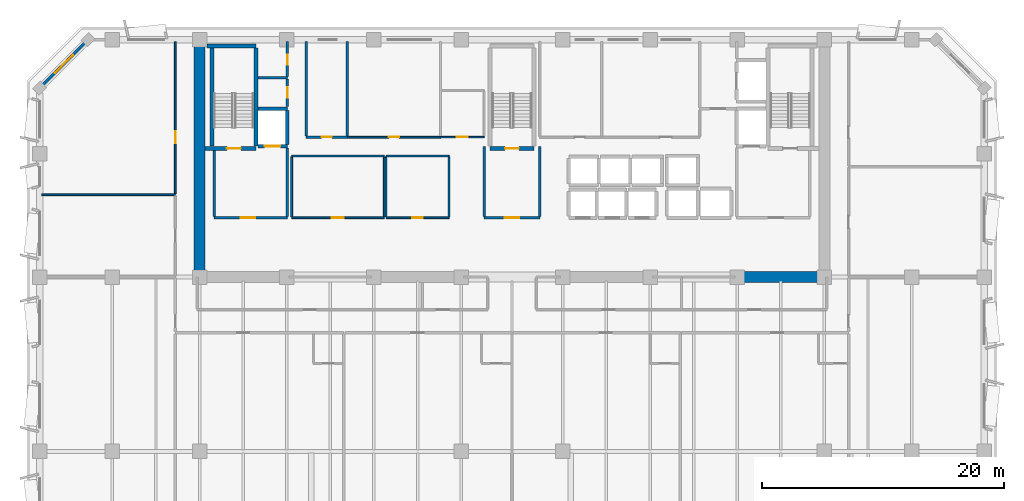
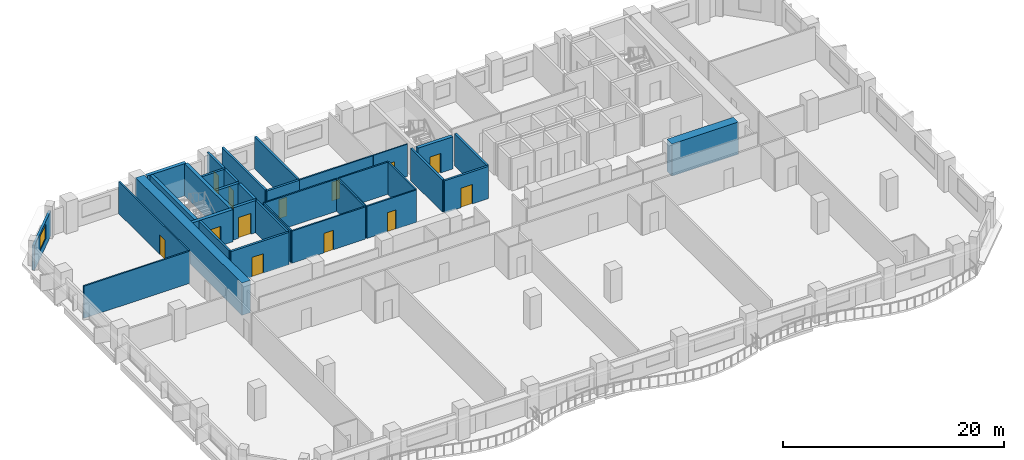
# One storey, part 6 of 14: 35 walls, 13 doors, 1 window, 14 openings.
"""IFC4 building model written with IfcOpenShell, lengths in metres."""

from ifc_helpers import new_model, si_unit, direction, frame, frame_2d, origin, place, context, subcontext, project, spatial, rectangle, extrude, material, layer, layer_set, type_object, element, fill, save


model = new_model("IFC4")

# Units and contexts
model_context = context("Model", 3, precision=1e-05, world=origin(), true_north=direction((0.0, 1.0)))
body_context = subcontext(model_context, "Body", "Model", "MODEL_VIEW")
ifc_project = project(units=[si_unit("LENGTHUNIT", "METRE"), si_unit("AREAUNIT", "SQUARE_METRE"), si_unit("VOLUMEUNIT", "CUBIC_METRE"), si_unit("PLANEANGLEUNIT", "RADIAN"), si_unit("MASSUNIT", "GRAM", prefix="KILO")], contexts=[model_context])

# Site, building, storey
site_placement = place(None, origin())
site = spatial("IfcSite", under=ifc_project, at=site_placement, CompositionType="ELEMENT")
building_placement = place(site_placement, origin())
building = spatial("IfcBuilding", under=site, at=building_placement, Name="Kaelvorn Grand Hotel", CompositionType="ELEMENT")
storey_placement = place(building_placement, frame((0.0, 0.0, 220.550048828125)))
storey = spatial("IfcBuildingStorey", under=building, at=storey_placement, Name="L54", CompositionType="ELEMENT", Elevation=220.550048828125)

# Walls
ifc_material_1 = material(Name="Concrete C60/75", Category="concrete")
ifc_layer_1 = layer(ifc_material_1, 0.89990234375)
ifc_layer_set_1 = layer_set([ifc_layer_1], Name="Concrete C60/75")
wall_type_1 = type_object("IfcWallType", Name="WL-CORE-900-C60", PredefinedType="SHEAR", material=ifc_layer_set_1)
wall_1_placement = place(storey_placement, frame((16.199951171875, 29.39990234375, 0.0), z_axis=(0.0, 0.0, 1.0), x_axis=(0.0, 1.0, 0.0)))
element("IfcWall", 1, at=wall_1_placement, inside=storey, type_object=wall_type_1, Name="L54 Rear-Core West Shear Wall", PredefinedType="SHEAR", context=body_context, shape_type="SweptSolid", body=[
    extrude(rectangle(XDim=19.2001953125, YDim=0.89990234375, at=frame_2d((9.60009765625, 0.0))), origin(), (0.0, 0.0, 1.0), 3.56005859375),
])
wall_2_placement = place(storey_placement, frame((60.39990234375, 29.39990234375, 0.0), z_axis=(0.0, 0.0, 1.0), x_axis=(1.0, 0.0, 0.0)))
element("IfcWall", 2, at=wall_2_placement, inside=storey, type_object=wall_type_1, Name="L54 Rear-Core Coupled Shear Pier S4", PredefinedType="SHEAR", context=body_context, shape_type="SweptSolid", body=[
    extrude(rectangle(XDim=6.945068359375, YDim=0.89990234375, at=frame_2d((3.47265625, 0.0))), origin(), (0.0, 0.0, 1.0), 3.56005859375),
])

# Wall, opening, window
ifc_material_2 = material(Name="Concrete C40/50", Category="concrete")
ifc_layer_2 = layer(ifc_material_2, 0.239990234375)
ifc_layer_set_2 = layer_set([ifc_layer_2], Name="Concrete C40/50")
wall_type_2 = type_object("IfcWallType", Name="WL-EXT-240-C40", PredefinedType="SOLIDWALL", material=ifc_layer_set_2)
wall_3_placement = place(storey_placement, frame((7.0, 49.0, 0.0), z_axis=(0.0, 0.0, 1.0), x_axis=(-0.707106781187, -0.707106781187, 0.0)))
wall_3 = element("IfcWall", 3, at=wall_3_placement, inside=storey, type_object=wall_type_2, Name="L54 Exterior Architectural Concrete Wall 06", PredefinedType="SOLIDWALL", context=body_context, shape_type="SweptSolid", body=[
    extrude(rectangle(XDim=5.65673828125, YDim=0.239990234375, at=frame_2d((2.828369140625, 0.0))), origin(), (0.0, 0.0, 1.0), 2.760009765625),
])
opening_1_placement = place(wall_3_placement, frame((1.7783203125, 0.0, 0.85009765625)))
opening_1 = element("IfcOpeningElement", 4, at=opening_1_placement, cuts=wall_3, Name="Opening W7", PredefinedType="OPENING", context=body_context, shape_type="SweptSolid", body=[
    extrude(rectangle(XDim=2.10009765625, YDim=1.60009765625, at=frame_2d((1.050048828125, 0.800048828125))), frame((0.0, 0.1298828125, 0.0), z_axis=(0.0, -1.0, 0.0), x_axis=(1.0, 0.0, 0.0)), (0.0, 0.0, 1.0), 0.260009765625),
])
ifc_material_3 = material(Name="Laminated Low-E Glass", Category="glass")
window_type = type_object("IfcWindowType", Name="WIN-CHM-2100x1600", PartitioningType="SINGLE_PANEL", PredefinedType="WINDOW", material=ifc_material_3)
window_placement = place(opening_1_placement, origin())
window = element("IfcWindow", 5, at=window_placement, inside=storey, type_object=window_type, Name="L54 Chamfered 45-Degree Corner Window NW", OverallHeight=1.60009765625, OverallWidth=2.10009765625, PartitioningType="SINGLE_PANEL", PredefinedType="WINDOW", context=body_context, shape_type="SweptSolid", body=[
    extrude(rectangle(XDim=2.10009765625, YDim=1.60009765625, at=frame_2d((1.050048828125, 0.800048828125))), frame((0.0, 0.030029296875, 0.0), z_axis=(0.0, -1.0, 0.0), x_axis=(1.0, 0.0, 0.0)), (0.0, 0.0, 1.0), 0.06005859375),
])
fill(opening_1, window)

# Wall, opening, door
ifc_material_4 = material(Name="Moisture-Resistant Tile & Stud Board")
ifc_layer_3 = layer(ifc_material_4, 0.125)
ifc_layer_set_3 = layer_set([ifc_layer_3], Name="Moisture-Resistant Tile & Stud Board")
wall_type_3 = type_object("IfcWallType", Name="WL-PART-125-WET", PredefinedType="PARTITIONING", material=ifc_layer_set_3)
wall_4_placement = place(storey_placement, frame((36.110107421875, 40.949951171875, 0.0), z_axis=(0.0, 0.0, 1.0), x_axis=(1.0, 0.0, 0.0)))
wall_4 = element("IfcWall", 6, at=wall_4_placement, inside=storey, type_object=wall_type_3, Name="L54 Accessible WC S Partition", PredefinedType="PARTITIONING", context=body_context, shape_type="SweptSolid", body=[
    extrude(rectangle(XDim=3.58984375, YDim=0.125, at=frame_2d((1.794921875, 0.0))), origin(), (0.0, 0.0, 1.0), 3.56005859375),
])
opening_2_placement = place(wall_4_placement, frame((1.340087890625, 0.0, 0.0)))
opening_2 = element("IfcOpeningElement", 7, at=opening_2_placement, cuts=wall_4, Name="Opening DI4", PredefinedType="OPENING", context=body_context, shape_type="SweptSolid", body=[
    extrude(rectangle(XDim=0.89990234375, YDim=2.10009765625, at=frame_2d((0.449951171875, 1.050048828125))), frame((0.0, 0.072509765625, 0.0), z_axis=(0.0, -1.0, 0.0), x_axis=(1.0, 0.0, 0.0)), (0.0, 0.0, 1.0), 0.14501953125),
])
ifc_material_5 = material(Name="Timber Veneer Leaf", Category="wood")
door_type_1 = type_object("IfcDoorType", Name="DR-INT-BATH-900x2100", OperationType="NOTDEFINED", PredefinedType="DOOR", material=ifc_material_5)
door_1_placement = place(opening_2_placement, origin())
door_1 = element("IfcDoor", 8, at=door_1_placement, inside=storey, type_object=door_type_1, Name="L54 Accessible WC Door", OperationType="SINGLE_SWING_LEFT", OverallHeight=2.10009765625, OverallWidth=0.89990234375, PredefinedType="DOOR", context=body_context, shape_type="SweptSolid", body=[
    extrude(rectangle(XDim=0.89990234375, YDim=2.10009765625, at=frame_2d((0.449951171875, 1.050048828125))), frame((0.0, 0.02490234375, 0.0), z_axis=(0.0, -1.0, 0.0), x_axis=(1.0, 0.0, 0.0)), (0.0, 0.0, 1.0), 0.050048828125),
])
fill(opening_2, door_1)

ifc_material_6 = material(Name="Acoustic Gypsum & Stud Partition")
ifc_layer_4 = layer(ifc_material_6, 0.14990234375)
ifc_layer_set_4 = layer_set([ifc_layer_4], Name="Acoustic Gypsum & Stud Partition")
wall_type_4 = type_object("IfcWallType", Name="WL-PART-150-EI60", PredefinedType="PARTITIONING", material=ifc_layer_set_4)
wall_5_placement = place(storey_placement, frame((31.60009765625, 34.300048828125, 0.0), z_axis=(0.0, 0.0, 1.0), x_axis=(1.0, 0.0, 0.0)))
wall_5 = element("IfcWall", 9, at=wall_5_placement, inside=storey, type_object=wall_type_4, Name="L54 Core Telecoms & BMS Server Room S Partition", PredefinedType="PARTITIONING", context=body_context, shape_type="SweptSolid", body=[
    extrude(rectangle(XDim=5.199951171875, YDim=0.14990234375, at=frame_2d((2.60009765625, 0.0))), origin(), (0.0, 0.0, 1.0), 3.56005859375),
])
opening_3_placement = place(wall_5_placement, frame((2.175048828125, 0.0, 0.0)))
opening_3 = element("IfcOpeningElement", 10, at=opening_3_placement, cuts=wall_5, Name="Opening DI7", PredefinedType="OPENING", context=body_context, shape_type="SweptSolid", body=[
    extrude(rectangle(XDim=0.85009765625, YDim=2.10009765625, at=frame_2d((0.425048828125, 1.050048828125))), frame((0.0, 0.0849609375, 0.0), z_axis=(0.0, -1.0, 0.0), x_axis=(1.0, 0.0, 0.0)), (0.0, 0.0, 1.0), 0.169921875),
])
ifc_material_7 = material(Name="Powder-Coated Steel Leaf", Category="steel")
door_type_2 = type_object("IfcDoorType", Name="DR-INT-RISER-850x2100", OperationType="NOTDEFINED", PredefinedType="DOOR", material=ifc_material_7)
door_2_placement = place(opening_3_placement, origin())
door_2 = element("IfcDoor", 11, at=door_2_placement, inside=storey, type_object=door_type_2, Name="L54 Core Telecoms & BMS Server Room Door", OperationType="SINGLE_SWING_LEFT", OverallHeight=2.10009765625, OverallWidth=0.85009765625, PredefinedType="DOOR", context=body_context, shape_type="SweptSolid", body=[
    extrude(rectangle(XDim=0.85009765625, YDim=2.10009765625, at=frame_2d((0.425048828125, 1.050048828125))), frame((0.0, 0.02490234375, 0.0), z_axis=(0.0, -1.0, 0.0), x_axis=(1.0, 0.0, 0.0)), (0.0, 0.0, 1.0), 0.050048828125),
])
fill(opening_3, door_2)

# Walls
wall_6_placement = place(storey_placement, frame((31.60009765625, 39.39990234375, 0.0), z_axis=(0.0, 0.0, 1.0), x_axis=(1.0, 0.0, 0.0)))
element("IfcWall", 12, at=wall_6_placement, inside=storey, type_object=wall_type_4, Name="L54 Core Telecoms & BMS Server Room N Partition", PredefinedType="PARTITIONING", context=body_context, shape_type="SweptSolid", body=[
    extrude(rectangle(XDim=5.199951171875, YDim=0.14990234375, at=frame_2d((2.60009765625, 0.0))), origin(), (0.0, 0.0, 1.0), 3.56005859375),
])
for number, where, z_axis, x_axis, name in (
    (13, (31.60009765625, 34.3798828125, 0.0), (0.0, 0.0, 1.0), (0.0, 1.0, 0.0), "L54 Core Telecoms & BMS Server Room W Partition"),
    (14, (36.800048828125, 34.3798828125, 0.0), (0.0, 0.0, 1.0), (0.0, 1.0, 0.0), "L54 Core Telecoms & BMS Server Room E Partition"),
):
    element("IfcWall", number, at=place(storey_placement, frame(where, z_axis=z_axis, x_axis=x_axis)), inside=storey, type_object=wall_type_4, Name=name, PredefinedType="PARTITIONING", context=body_context, shape_type="SweptSolid", body=[
        extrude(rectangle(XDim=4.940185546875, YDim=0.14990234375, at=frame_2d((2.47021484375, 0.0))), origin(), (0.0, 0.0, 1.0), 3.56005859375),
    ])

# Wall, opening, door
wall_7_placement = place(storey_placement, frame((23.800048828125, 34.300048828125, 0.0), z_axis=(0.0, 0.0, 1.0), x_axis=(1.0, 0.0, 0.0)))
wall_7 = element("IfcWall", 15, at=wall_7_placement, inside=storey, type_object=wall_type_4, Name="L54 Executive Club Sitting Lounge S Partition", PredefinedType="PARTITIONING", context=body_context, shape_type="SweptSolid", body=[
    extrude(rectangle(XDim=7.64990234375, YDim=0.14990234375, at=frame_2d((3.824951171875, 0.0))), origin(), (0.0, 0.0, 1.0), 3.56005859375),
])
opening_4_placement = place(wall_7_placement, frame((3.300048828125, 0.0, 0.0)))
opening_4 = element("IfcOpeningElement", 16, at=opening_4_placement, cuts=wall_7, Name="Opening DI3", PredefinedType="OPENING", context=body_context, shape_type="SweptSolid", body=[
    extrude(rectangle(XDim=1.0, YDim=2.14990234375, at=frame_2d((0.5, 1.074951171875))), frame((0.0, 0.0849609375, 0.0), z_axis=(0.0, -1.0, 0.0), x_axis=(1.0, 0.0, 0.0)), (0.0, 0.0, 1.0), 0.169921875),
])
ifc_material_8 = material(Name="Timber Veneer Fire Leaf", Category="wood")
door_type_3 = type_object("IfcDoorType", Name="DR-INT-GUEST-1000x2150", OperationType="NOTDEFINED", PredefinedType="DOOR", material=ifc_material_8)
door_3_placement = place(opening_4_placement, origin())
door_3 = element("IfcDoor", 17, at=door_3_placement, inside=storey, type_object=door_type_3, Name="L54 Executive Club Sitting Lounge Door", OperationType="SINGLE_SWING_RIGHT", OverallHeight=2.14990234375, OverallWidth=1.0, PredefinedType="DOOR", context=body_context, shape_type="SweptSolid", body=[
    extrude(rectangle(XDim=1.0, YDim=2.14990234375, at=frame_2d((0.5, 1.074951171875))), frame((0.0, 0.02490234375, 0.0), z_axis=(0.0, -1.0, 0.0), x_axis=(1.0, 0.0, 0.0)), (0.0, 0.0, 1.0), 0.050048828125),
])
fill(opening_4, door_3)

# Walls
wall_8_placement = place(storey_placement, frame((23.800048828125, 39.39990234375, 0.0), z_axis=(0.0, 0.0, 1.0), x_axis=(1.0, 0.0, 0.0)))
element("IfcWall", 18, at=wall_8_placement, inside=storey, type_object=wall_type_4, Name="L54 Executive Club Sitting Lounge N Partition", PredefinedType="PARTITIONING", context=body_context, shape_type="SweptSolid", body=[
    extrude(rectangle(XDim=7.64990234375, YDim=0.14990234375, at=frame_2d((3.824951171875, 0.0))), origin(), (0.0, 0.0, 1.0), 3.56005859375),
])
for number, where, z_axis, x_axis, name in (
    (19, (23.800048828125, 34.3798828125, 0.0), (0.0, 0.0, 1.0), (0.0, 1.0, 0.0), "L54 Executive Club Sitting Lounge W Partition"),
    (20, (31.449951171875, 34.3798828125, 0.0), (0.0, 0.0, 1.0), (0.0, 1.0, 0.0), "L54 Executive Club Sitting Lounge E Partition"),
):
    element("IfcWall", number, at=place(storey_placement, frame(where, z_axis=z_axis, x_axis=x_axis)), inside=storey, type_object=wall_type_4, Name=name, PredefinedType="PARTITIONING", context=body_context, shape_type="SweptSolid", body=[
        extrude(rectangle(XDim=4.940185546875, YDim=0.14990234375, at=frame_2d((2.47021484375, 0.0))), origin(), (0.0, 0.0, 1.0), 3.56005859375),
    ])

# Wall, opening, door
wall_9_placement = place(storey_placement, frame((28.409912109375, 40.949951171875, 0.0), z_axis=(0.0, 0.0, 1.0), x_axis=(1.0, 0.0, 0.0)))
wall_9 = element("IfcWall", 21, at=wall_9_placement, inside=storey, type_object=wall_type_4, Name="L54 Housekeeping & Linen Room S Partition", PredefinedType="PARTITIONING", context=body_context, shape_type="SweptSolid", body=[
    extrude(rectangle(XDim=7.690185546875, YDim=0.14990234375, at=frame_2d((3.84521484375, 0.0))), origin(), (0.0, 0.0, 1.0), 3.56005859375),
])
opening_5_placement = place(wall_9_placement, frame((3.4150390625, 0.0, 0.0)))
opening_5 = element("IfcOpeningElement", 22, at=opening_5_placement, cuts=wall_9, Name="Opening DI7", PredefinedType="OPENING", context=body_context, shape_type="SweptSolid", body=[
    extrude(rectangle(XDim=0.85009765625, YDim=2.10009765625, at=frame_2d((0.425048828125, 1.050048828125))), frame((0.0, 0.0849609375, 0.0), z_axis=(0.0, -1.0, 0.0), x_axis=(1.0, 0.0, 0.0)), (0.0, 0.0, 1.0), 0.169921875),
])
door_4_placement = place(opening_5_placement, origin())
door_4 = element("IfcDoor", 23, at=door_4_placement, inside=storey, type_object=door_type_2, Name="L54 Housekeeping & Linen Room Door", OperationType="SINGLE_SWING_RIGHT", OverallHeight=2.10009765625, OverallWidth=0.85009765625, PredefinedType="DOOR", context=body_context, shape_type="SweptSolid", body=[
    extrude(rectangle(XDim=0.85009765625, YDim=2.10009765625, at=frame_2d((0.425048828125, 1.050048828125))), frame((0.0, 0.02490234375, 0.0), z_axis=(0.0, -1.0, 0.0), x_axis=(1.0, 0.0, 0.0)), (0.0, 0.0, 1.0), 0.050048828125),
])
fill(opening_5, door_4)

# Wall
wall_10_placement = place(storey_placement, frame((3.14990234375, 36.199951171875, 0.0), z_axis=(0.0, 0.0, 1.0), x_axis=(1.0, 0.0, 0.0)))
element("IfcWall", 24, at=wall_10_placement, inside=storey, type_object=wall_type_4, Name="L54 North-West Botanical Conservatory Salon N Partition", PredefinedType="PARTITIONING", context=body_context, shape_type="SweptSolid", body=[
    extrude(rectangle(XDim=11.050048828125, YDim=0.14990234375, at=frame_2d((5.52490234375, 0.0))), origin(), (0.0, 0.0, 1.0), 3.56005859375),
])

# Wall, opening, door
wall_11_placement = place(storey_placement, frame((14.199951171875, 36.280029296875, 0.0), z_axis=(0.0, 0.0, 1.0), x_axis=(0.0, 1.0, 0.0)))
wall_11 = element("IfcWall", 25, at=wall_11_placement, inside=storey, type_object=wall_type_4, Name="L54 North-West Catering Servery Kitchen E Partition", PredefinedType="PARTITIONING", context=body_context, shape_type="SweptSolid", body=[
    extrude(rectangle(XDim=12.570068359375, YDim=0.14990234375, at=frame_2d((6.28515625, 0.0))), origin(), (0.0, 0.0, 1.0), 3.56005859375),
])
opening_6_placement = place(wall_11_placement, frame((4.169921875, 0.0, 0.0)))
opening_6 = element("IfcOpeningElement", 26, at=opening_6_placement, cuts=wall_11, Name="Opening DI3", PredefinedType="OPENING", context=body_context, shape_type="SweptSolid", body=[
    extrude(rectangle(XDim=1.0, YDim=2.14990234375, at=frame_2d((0.5, 1.074951171875))), frame((0.0, 0.0849609375, 0.0), z_axis=(0.0, -1.0, 0.0), x_axis=(1.0, 0.0, 0.0)), (0.0, 0.0, 1.0), 0.169921875),
])
door_5_placement = place(opening_6_placement, origin())
door_5 = element("IfcDoor", 27, at=door_5_placement, inside=storey, type_object=door_type_3, Name="L54 North-West Catering Servery Kitchen Door", OperationType="SINGLE_SWING_LEFT", OverallHeight=2.14990234375, OverallWidth=1.0, PredefinedType="DOOR", context=body_context, shape_type="SweptSolid", body=[
    extrude(rectangle(XDim=1.0, YDim=2.14990234375, at=frame_2d((0.5, 1.074951171875))), frame((0.0, 0.02490234375, 0.0), z_axis=(0.0, -1.0, 0.0), x_axis=(1.0, 0.0, 0.0)), (0.0, 0.0, 1.0), 0.050048828125),
])
fill(opening_6, door_5)

ifc_layer_5 = layer(ifc_material_2, 0.219970703125)
ifc_layer_set_5 = layer_set([ifc_layer_5], Name="Concrete C40/50")
wall_type_5 = type_object("IfcWallType", Name="WL-PART-220-EI120", PredefinedType="PARTITIONING", material=ifc_layer_set_5)
wall_12_placement = place(storey_placement, frame((17.39990234375, 34.300048828125, 0.0), z_axis=(0.0, 0.0, 1.0), x_axis=(1.0, 0.0, 0.0)))
wall_12 = element("IfcWall", 28, at=wall_12_placement, inside=storey, type_object=wall_type_5, Name="L54 Firefighting Lift Lobby 1 S Partition", PredefinedType="PARTITIONING", context=body_context, shape_type="SweptSolid", body=[
    extrude(rectangle(XDim=6.050048828125, YDim=0.219970703125, at=frame_2d((3.02490234375, 0.0))), origin(), (0.0, 0.0, 1.0), 3.56005859375),
])
opening_7_placement = place(wall_12_placement, frame((2.199951171875, 0.0, 0.0)))
opening_7 = element("IfcOpeningElement", 29, at=opening_7_placement, cuts=wall_12, Name="Opening DI2", PredefinedType="OPENING", context=body_context, shape_type="SweptSolid", body=[
    extrude(rectangle(XDim=1.199951171875, YDim=2.14990234375, at=frame_2d((0.60009765625, 1.074951171875))), frame((0.0, 0.1201171875, 0.0), z_axis=(0.0, -1.0, 0.0), x_axis=(1.0, 0.0, 0.0)), (0.0, 0.0, 1.0), 0.239990234375),
])
door_type_4 = type_object("IfcDoorType", Name="DR-INT-FFLOB-1200x2150", OperationType="NOTDEFINED", PredefinedType="DOOR", material=ifc_material_8)
door_6_placement = place(opening_7_placement, origin())
door_6 = element("IfcDoor", 30, at=door_6_placement, inside=storey, type_object=door_type_4, Name="L54 Firefighting Lift Lobby 1 Door", OperationType="SINGLE_SWING_LEFT", OverallHeight=2.14990234375, OverallWidth=1.199951171875, PredefinedType="DOOR", context=body_context, shape_type="SweptSolid", body=[
    extrude(rectangle(XDim=1.199951171875, YDim=2.14990234375, at=frame_2d((0.60009765625, 1.074951171875))), frame((0.0, 0.02490234375, 0.0), z_axis=(0.0, -1.0, 0.0), x_axis=(1.0, 0.0, 0.0)), (0.0, 0.0, 1.0), 0.050048828125),
])
fill(opening_7, door_6)

# Walls
wall_13_placement = place(storey_placement, frame((17.39990234375, 34.4150390625, 0.0), z_axis=(0.0, 0.0, 1.0), x_axis=(0.0, 1.0, 0.0)))
element("IfcWall", 31, at=wall_13_placement, inside=storey, type_object=wall_type_5, Name="L54 Firefighting Lift Lobby 1 W Partition", PredefinedType="PARTITIONING", context=body_context, shape_type="SweptSolid", body=[
    extrude(rectangle(XDim=5.429931640625, YDim=0.219970703125, at=frame_2d((2.71484375, 0.0))), origin(), (0.0, 0.0, 1.0), 3.56005859375),
])
wall_14_placement = place(storey_placement, frame((23.449951171875, 34.4150390625, 0.0), z_axis=(0.0, 0.0, 1.0), x_axis=(0.0, 1.0, 0.0)))
element("IfcWall", 32, at=wall_14_placement, inside=storey, type_object=wall_type_5, Name="L54 Firefighting Lift Lobby 1 E Partition", PredefinedType="PARTITIONING", context=body_context, shape_type="SweptSolid", body=[
    extrude(rectangle(XDim=5.639892578125, YDim=0.219970703125, at=frame_2d((2.81982421875, 0.0))), origin(), (0.0, 0.0, 1.0), 3.56005859375),
])

# Wall, opening, door
wall_15_placement = place(storey_placement, frame((39.699951171875, 34.300048828125, 0.0), z_axis=(0.0, 0.0, 1.0), x_axis=(1.0, 0.0, 0.0)))
wall_15 = element("IfcWall", 33, at=wall_15_placement, inside=storey, type_object=wall_type_5, Name="L54 Central Stair Escape Vestibule S Partition", PredefinedType="PARTITIONING", context=body_context, shape_type="SweptSolid", body=[
    extrude(rectangle(XDim=4.60009765625, YDim=0.219970703125, at=frame_2d((2.300048828125, 0.0))), origin(), (0.0, 0.0, 1.0), 3.56005859375),
])
opening_8_placement = place(wall_15_placement, frame((1.699951171875, 0.0, 0.0)))
opening_8 = element("IfcOpeningElement", 34, at=opening_8_placement, cuts=wall_15, Name="Opening DI2", PredefinedType="OPENING", context=body_context, shape_type="SweptSolid", body=[
    extrude(rectangle(XDim=1.199951171875, YDim=2.14990234375, at=frame_2d((0.60009765625, 1.074951171875))), frame((0.0, 0.1201171875, 0.0), z_axis=(0.0, -1.0, 0.0), x_axis=(1.0, 0.0, 0.0)), (0.0, 0.0, 1.0), 0.239990234375),
])
door_7_placement = place(opening_8_placement, origin())
door_7 = element("IfcDoor", 35, at=door_7_placement, inside=storey, type_object=door_type_4, Name="L54 Central Stair Escape Vestibule Door", OperationType="SINGLE_SWING_LEFT", OverallHeight=2.14990234375, OverallWidth=1.199951171875, PredefinedType="DOOR", context=body_context, shape_type="SweptSolid", body=[
    extrude(rectangle(XDim=1.199951171875, YDim=2.14990234375, at=frame_2d((0.60009765625, 1.074951171875))), frame((0.0, 0.02490234375, 0.0), z_axis=(0.0, -1.0, 0.0), x_axis=(1.0, 0.0, 0.0)), (0.0, 0.0, 1.0), 0.050048828125),
])
fill(opening_8, door_7)

# Walls
for number, where, z_axis, x_axis, name in (
    (36, (39.699951171875, 34.4150390625, 0.0), (0.0, 0.0, 1.0), (0.0, 1.0, 0.0), "L54 Central Stair Escape Vestibule W Partition"),
    (37, (44.300048828125, 34.4150390625, 0.0), (0.0, 0.0, 1.0), (0.0, 1.0, 0.0), "L54 Central Stair Escape Vestibule E Partition"),
):
    element("IfcWall", number, at=place(storey_placement, frame(where, z_axis=z_axis, x_axis=x_axis)), inside=storey, type_object=wall_type_5, Name=name, PredefinedType="PARTITIONING", context=body_context, shape_type="SweptSolid", body=[
        extrude(rectangle(XDim=5.784912109375, YDim=0.219970703125, at=frame_2d((2.892578125, 0.0))), origin(), (0.0, 0.0, 1.0), 3.56005859375),
    ])
wall_16_placement = place(storey_placement, frame((21.034912109375, 45.85009765625, 0.0), z_axis=(0.0, 0.0, 1.0), x_axis=(1.0, 0.0, 0.0)))
element("IfcWall", 38, at=wall_16_placement, inside=storey, type_object=wall_type_5, Name="L54 Wet Fire & Plumbing Riser Shaft N Partition", PredefinedType="PARTITIONING", context=body_context, shape_type="SweptSolid", body=[
    extrude(rectangle(XDim=2.4150390625, YDim=0.219970703125, at=frame_2d((1.20751953125, 0.0))), origin(), (0.0, 0.0, 1.0), 3.56005859375),
])

# Wall, opening, door
wall_17_placement = place(storey_placement, frame((23.449951171875, 43.5, 0.0), z_axis=(0.0, 0.0, 1.0), x_axis=(0.0, 1.0, 0.0)))
wall_17 = element("IfcWall", 39, at=wall_17_placement, inside=storey, type_object=wall_type_5, Name="L54 Wet Fire & Plumbing Riser Shaft E Partition", PredefinedType="PARTITIONING", context=body_context, shape_type="SweptSolid", body=[
    extrude(rectangle(XDim=2.235107421875, YDim=0.219970703125, at=frame_2d((1.11767578125, 0.0))), origin(), (0.0, 0.0, 1.0), 3.56005859375),
])
opening_9_placement = place(wall_17_placement, frame((0.72509765625, 0.0, 0.0)))
opening_9 = element("IfcOpeningElement", 40, at=opening_9_placement, cuts=wall_17, Name="Opening DI7", PredefinedType="OPENING", context=body_context, shape_type="SweptSolid", body=[
    extrude(rectangle(XDim=0.85009765625, YDim=2.10009765625, at=frame_2d((0.425048828125, 1.050048828125))), frame((0.0, 0.1201171875, 0.0), z_axis=(0.0, -1.0, 0.0), x_axis=(1.0, 0.0, 0.0)), (0.0, 0.0, 1.0), 0.239990234375),
])
door_8_placement = place(opening_9_placement, origin())
door_8 = element("IfcDoor", 41, at=door_8_placement, inside=storey, type_object=door_type_2, Name="L54 Wet Fire & Plumbing Riser Shaft Door", OperationType="SINGLE_SWING_LEFT", OverallHeight=2.10009765625, OverallWidth=0.85009765625, PredefinedType="DOOR", context=body_context, shape_type="SweptSolid", body=[
    extrude(rectangle(XDim=0.85009765625, YDim=2.10009765625, at=frame_2d((0.425048828125, 1.050048828125))), frame((0.0, 0.02490234375, 0.0), z_axis=(0.0, -1.0, 0.0), x_axis=(1.0, 0.0, 0.0)), (0.0, 0.0, 1.0), 0.050048828125),
])
fill(opening_9, door_8)

wall_18_placement = place(storey_placement, frame((23.449951171875, 45.965087890625, 0.0), z_axis=(0.0, 0.0, 1.0), x_axis=(0.0, 1.0, 0.0)))
wall_18 = element("IfcWall", 42, at=wall_18_placement, inside=storey, type_object=wall_type_5, Name="L54 HV Electrical & Smoke Riser E Partition", PredefinedType="PARTITIONING", context=body_context, shape_type="SweptSolid", body=[
    extrude(rectangle(XDim=2.885009765625, YDim=0.219970703125, at=frame_2d((1.4423828125, 0.0))), origin(), (0.0, 0.0, 1.0), 3.56005859375),
])
opening_10_placement = place(wall_18_placement, frame((0.9599609375, 0.0, 0.0)))
opening_10 = element("IfcOpeningElement", 43, at=opening_10_placement, cuts=wall_18, Name="Opening DI7", PredefinedType="OPENING", context=body_context, shape_type="SweptSolid", body=[
    extrude(rectangle(XDim=0.85009765625, YDim=2.10009765625, at=frame_2d((0.425048828125, 1.050048828125))), frame((0.0, 0.1201171875, 0.0), z_axis=(0.0, -1.0, 0.0), x_axis=(1.0, 0.0, 0.0)), (0.0, 0.0, 1.0), 0.239990234375),
])
door_9_placement = place(opening_10_placement, origin())
door_9 = element("IfcDoor", 44, at=door_9_placement, inside=storey, type_object=door_type_2, Name="L54 HV Electrical & Smoke Riser Door", OperationType="SINGLE_SWING_RIGHT", OverallHeight=2.10009765625, OverallWidth=0.85009765625, PredefinedType="DOOR", context=body_context, shape_type="SweptSolid", body=[
    extrude(rectangle(XDim=0.85009765625, YDim=2.10009765625, at=frame_2d((0.425048828125, 1.050048828125))), frame((0.0, 0.02490234375, 0.0), z_axis=(0.0, -1.0, 0.0), x_axis=(1.0, 0.0, 0.0)), (0.0, 0.0, 1.0), 0.050048828125),
])
fill(opening_10, door_9)

wall_19_placement = place(storey_placement, frame((25.0, 40.949951171875, 0.0), z_axis=(0.0, 0.0, 1.0), x_axis=(1.0, 0.0, 0.0)))
wall_19 = element("IfcWall", 45, at=wall_19_placement, inside=storey, type_object=wall_type_5, Name="L54 Electrical Distribution Room S Partition", PredefinedType="PARTITIONING", context=body_context, shape_type="SweptSolid", body=[
    extrude(rectangle(XDim=3.39990234375, YDim=0.219970703125, at=frame_2d((1.699951171875, 0.0))), origin(), (0.0, 0.0, 1.0), 3.56005859375),
])
opening_11_placement = place(wall_19_placement, frame((1.27490234375, 0.0, 0.0)))
opening_11 = element("IfcOpeningElement", 46, at=opening_11_placement, cuts=wall_19, Name="Opening DI7", PredefinedType="OPENING", context=body_context, shape_type="SweptSolid", body=[
    extrude(rectangle(XDim=0.85009765625, YDim=2.10009765625, at=frame_2d((0.425048828125, 1.050048828125))), frame((0.0, 0.1201171875, 0.0), z_axis=(0.0, -1.0, 0.0), x_axis=(1.0, 0.0, 0.0)), (0.0, 0.0, 1.0), 0.239990234375),
])
door_10_placement = place(opening_11_placement, origin())
door_10 = element("IfcDoor", 47, at=door_10_placement, inside=storey, type_object=door_type_2, Name="L54 Electrical Distribution Room Door", OperationType="SINGLE_SWING_LEFT", OverallHeight=2.10009765625, OverallWidth=0.85009765625, PredefinedType="DOOR", context=body_context, shape_type="SweptSolid", body=[
    extrude(rectangle(XDim=0.85009765625, YDim=2.10009765625, at=frame_2d((0.425048828125, 1.050048828125))), frame((0.0, 0.02490234375, 0.0), z_axis=(0.0, -1.0, 0.0), x_axis=(1.0, 0.0, 0.0)), (0.0, 0.0, 1.0), 0.050048828125),
])
fill(opening_11, door_10)

# Walls
for number, where, z_axis, x_axis, name in (
    (48, (25.0, 41.06494140625, 0.0), (0.0, 0.0, 1.0), (0.0, 1.0, 0.0), "L54 Electrical Distribution Room W Partition"),
    (49, (28.39990234375, 41.06494140625, 0.0), (0.0, 0.0, 1.0), (0.0, 1.0, 0.0), "L54 Electrical Distribution Room E Partition"),
):
    element("IfcWall", number, at=place(storey_placement, frame(where, z_axis=z_axis, x_axis=x_axis)), inside=storey, type_object=wall_type_5, Name=name, PredefinedType="PARTITIONING", context=body_context, shape_type="SweptSolid", body=[
        extrude(rectangle(XDim=7.78515625, YDim=0.219970703125, at=frame_2d((3.892578125, 0.0))), origin(), (0.0, 0.0, 1.0), 3.56005859375),
    ])

# Wall, opening, door
ifc_material_9 = material(Name="Concrete C50/60", Category="concrete")
ifc_layer_6 = layer(ifc_material_9, 0.280029296875)
ifc_layer_set_6 = layer_set([ifc_layer_6], Name="Concrete C50/60")
wall_type_6 = type_object("IfcWallType", Name="WL-SHAFT-280-C50", PredefinedType="SHEAR", material=ifc_layer_set_6)
wall_20_placement = place(storey_placement, frame((21.034912109375, 40.199951171875, 0.0), z_axis=(0.0, 0.0, 1.0), x_axis=(1.0, 0.0, 0.0)))
wall_20 = element("IfcWall", 50, at=wall_20_placement, inside=storey, type_object=wall_type_6, Name="L54 Lift FFL1 Shaft South Wall", PredefinedType="SHEAR", context=body_context, shape_type="SweptSolid", body=[
    extrude(rectangle(XDim=2.4150390625, YDim=0.280029296875, at=frame_2d((1.20751953125, 0.0))), origin(), (0.0, 0.0, 1.0), 3.56005859375),
])
opening_12_placement = place(wall_20_placement, frame((0.5400390625, 0.0, 0.0)))
opening_12 = element("IfcOpeningElement", 51, at=opening_12_placement, cuts=wall_20, Name="Opening LD-FFL1", PredefinedType="OPENING", context=body_context, shape_type="SweptSolid", body=[
    extrude(rectangle(XDim=1.300048828125, YDim=2.300048828125, at=frame_2d((0.64990234375, 1.14990234375))), frame((0.0, 0.14990234375, 0.0), z_axis=(0.0, -1.0, 0.0), x_axis=(1.0, 0.0, 0.0)), (0.0, 0.0, 1.0), 0.300048828125),
])
ifc_material_10 = material(Name="Stainless Steel", Category="steel")
door_type_5 = type_object("IfcDoorType", Name="DR-LIFT-SERV-1300x2300", OperationType="DOUBLE_DOOR_SLIDING", PredefinedType="DOOR", material=ifc_material_10)
door_11_placement = place(opening_12_placement, origin())
door_11 = element("IfcDoor", 52, at=door_11_placement, inside=storey, type_object=door_type_5, Name="L54 Lift FFL1 Sliding Landing Door LD-FFL1", OperationType="DOUBLE_DOOR_SLIDING", OverallHeight=2.300048828125, OverallWidth=1.300048828125, PredefinedType="DOOR", context=body_context, shape_type="SweptSolid", body=[
    extrude(rectangle(XDim=1.300048828125, YDim=2.300048828125, at=frame_2d((0.64990234375, 1.14990234375))), frame((0.0, 0.02490234375, 0.0), z_axis=(0.0, -1.0, 0.0), x_axis=(1.0, 0.0, 0.0)), (0.0, 0.0, 1.0), 0.050048828125),
])
fill(opening_12, door_11)

# Walls
wall_21_placement = place(storey_placement, frame((21.034912109375, 43.300048828125, 0.0), z_axis=(0.0, 0.0, 1.0), x_axis=(1.0, 0.0, 0.0)))
element("IfcWall", 53, at=wall_21_placement, inside=storey, type_object=wall_type_6, Name="L54 Lift FFL1 Shaft North Wall", PredefinedType="SHEAR", context=body_context, shape_type="SweptSolid", body=[
    extrude(rectangle(XDim=2.4150390625, YDim=0.280029296875, at=frame_2d((1.20751953125, 0.0))), origin(), (0.0, 0.0, 1.0), 3.56005859375),
])
wall_22_placement = place(storey_placement, frame((23.449951171875, 40.344970703125, 0.0), z_axis=(0.0, 0.0, 1.0), x_axis=(0.0, 1.0, 0.0)))
element("IfcWall", 54, at=wall_22_placement, inside=storey, type_object=wall_type_6, Name="L54 Lift FFL1 Shaft East Wall", PredefinedType="SHEAR", context=body_context, shape_type="SweptSolid", body=[
    extrude(rectangle(XDim=2.81005859375, YDim=0.280029296875, at=frame_2d((1.405029296875, 0.0))), origin(), (0.0, 0.0, 1.0), 3.56005859375),
])

# Wall, opening, door
ifc_layer_7 = layer(ifc_material_1, 0.35009765625)
ifc_layer_set_7 = layer_set([ifc_layer_7], Name="Concrete C60/75")
wall_type_7 = type_object("IfcWallType", Name="WL-SHAFT-350-C60", PredefinedType="SHEAR", material=ifc_layer_set_7)
wall_23_placement = place(storey_placement, frame((16.655029296875, 40.02490234375, 0.0), z_axis=(0.0, 0.0, 1.0), x_axis=(1.0, 0.0, 0.0)))
wall_23 = element("IfcWall", 55, at=wall_23_placement, inside=storey, type_object=wall_type_7, Name="L54 ST1 Stair Shaft South Wall", PredefinedType="SHEAR", context=body_context, shape_type="SweptSolid", body=[
    extrude(rectangle(XDim=4.199951171875, YDim=0.35009765625, at=frame_2d((2.10009765625, 0.0))), origin(), (0.0, 0.0, 1.0), 3.56005859375),
])
opening_13_placement = place(wall_23_placement, frame((1.81005859375, 0.0, 0.0)))
opening_13 = element("IfcOpeningElement", 56, at=opening_13_placement, cuts=wall_23, Name="Opening DI1", PredefinedType="OPENING", context=body_context, shape_type="SweptSolid", body=[
    extrude(rectangle(XDim=1.14990234375, YDim=2.14990234375, at=frame_2d((0.574951171875, 1.074951171875))), frame((0.0, 0.18505859375, 0.0), z_axis=(0.0, -1.0, 0.0), x_axis=(1.0, 0.0, 0.0)), (0.0, 0.0, 1.0), 0.3701171875),
])
door_type_6 = type_object("IfcDoorType", Name="DR-INT-STAIR-1150x2150", OperationType="NOTDEFINED", PredefinedType="DOOR", material=ifc_material_8)
door_12_placement = place(opening_13_placement, origin())
door_12 = element("IfcDoor", 57, at=door_12_placement, inside=storey, type_object=door_type_6, Name="L54 ST1 Exit Stair Fire Door", OperationType="SINGLE_SWING_RIGHT", OverallHeight=2.14990234375, OverallWidth=1.14990234375, PredefinedType="DOOR", context=body_context, shape_type="SweptSolid", body=[
    extrude(rectangle(XDim=1.14990234375, YDim=2.14990234375, at=frame_2d((0.574951171875, 1.074951171875))), frame((0.0, 0.02490234375, 0.0), z_axis=(0.0, -1.0, 0.0), x_axis=(1.0, 0.0, 0.0)), (0.0, 0.0, 1.0), 0.050048828125),
])
fill(opening_13, door_12)

# Walls
wall_24_placement = place(storey_placement, frame((16.804931640625, 48.47509765625, 0.0), z_axis=(0.0, 0.0, 1.0), x_axis=(1.0, 0.0, 0.0)))
element("IfcWall", 58, at=wall_24_placement, inside=storey, type_object=wall_type_7, Name="L54 ST1 Stair Shaft North Wall", PredefinedType="SHEAR", context=body_context, shape_type="SweptSolid", body=[
    extrude(rectangle(XDim=4.050048828125, YDim=0.35009765625, at=frame_2d((2.02490234375, 0.0))), origin(), (0.0, 0.0, 1.0), 3.56005859375),
])
for number, where, z_axis, x_axis, name in (
    (59, (17.22509765625, 40.205078125, 0.0), (0.0, 0.0, 1.0), (0.0, 1.0, 0.0), "L54 ST1 Stair Shaft West Wall"),
    (60, (20.85498046875, 40.205078125, 0.0), (0.0, 0.0, 1.0), (0.0, 1.0, 0.0), "L54 ST1 Stair Shaft East Wall"),
):
    element("IfcWall", number, at=place(storey_placement, frame(where, z_axis=z_axis, x_axis=x_axis)), inside=storey, type_object=wall_type_7, Name=name, PredefinedType="SHEAR", context=body_context, shape_type="SweptSolid", body=[
        extrude(rectangle(XDim=8.08984375, YDim=0.35009765625, at=frame_2d((4.044921875, 0.0))), origin(), (0.0, 0.0, 1.0), 3.56005859375),
    ])

# Wall, opening, door
wall_25_placement = place(storey_placement, frame((40.18505859375, 40.02490234375, 0.0), z_axis=(0.0, 0.0, 1.0), x_axis=(1.0, 0.0, 0.0)))
wall_25 = element("IfcWall", 61, at=wall_25_placement, inside=storey, type_object=wall_type_7, Name="L54 ST2 Stair Shaft South Wall", PredefinedType="SHEAR", context=body_context, shape_type="SweptSolid", body=[
    extrude(rectangle(XDim=3.6298828125, YDim=0.35009765625, at=frame_2d((1.81494140625, 0.0))), origin(), (0.0, 0.0, 1.0), 3.56005859375),
])
opening_14_placement = place(wall_25_placement, frame((1.239990234375, 0.0, 0.0)))
opening_14 = element("IfcOpeningElement", 62, at=opening_14_placement, cuts=wall_25, Name="Opening DI1", PredefinedType="OPENING", context=body_context, shape_type="SweptSolid", body=[
    extrude(rectangle(XDim=1.14990234375, YDim=2.14990234375, at=frame_2d((0.574951171875, 1.074951171875))), frame((0.0, 0.18505859375, 0.0), z_axis=(0.0, -1.0, 0.0), x_axis=(1.0, 0.0, 0.0)), (0.0, 0.0, 1.0), 0.3701171875),
])
door_13_placement = place(opening_14_placement, origin())
door_13 = element("IfcDoor", 63, at=door_13_placement, inside=storey, type_object=door_type_6, Name="L54 ST2 Exit Stair Fire Door", OperationType="SINGLE_SWING_LEFT", OverallHeight=2.14990234375, OverallWidth=1.14990234375, PredefinedType="DOOR", context=body_context, shape_type="SweptSolid", body=[
    extrude(rectangle(XDim=1.14990234375, YDim=2.14990234375, at=frame_2d((0.574951171875, 1.074951171875))), frame((0.0, 0.02490234375, 0.0), z_axis=(0.0, -1.0, 0.0), x_axis=(1.0, 0.0, 0.0)), (0.0, 0.0, 1.0), 0.050048828125),
])
fill(opening_14, door_13)

save(model, "model.ifc")
